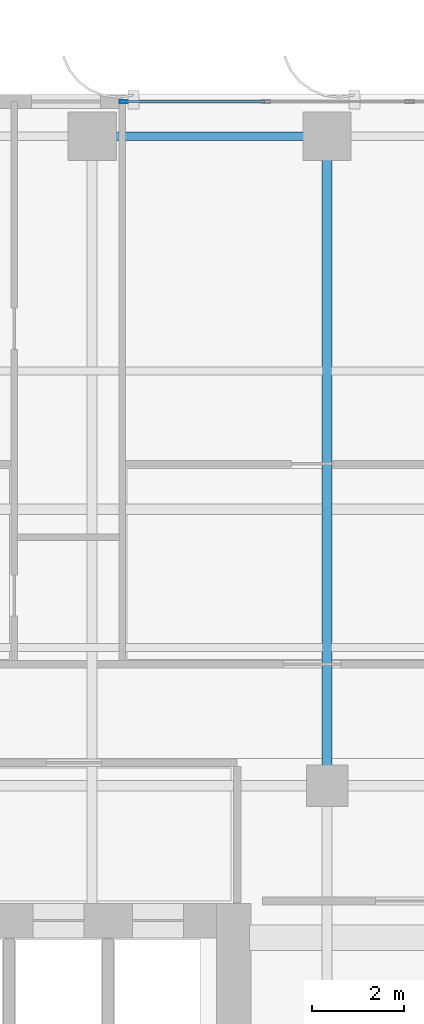
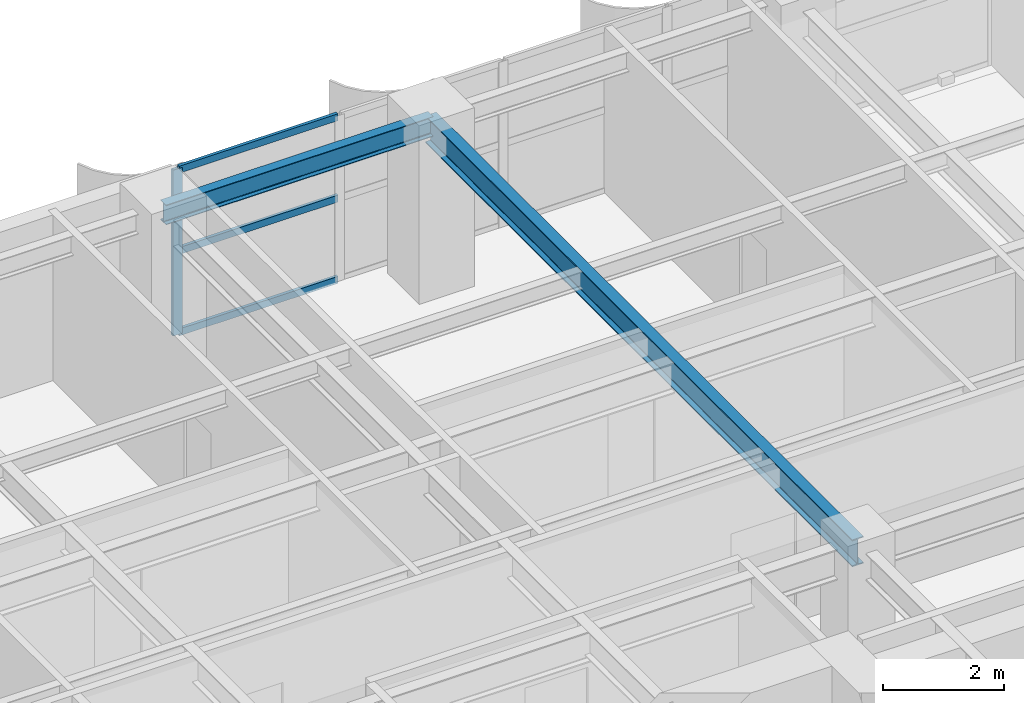
# One storey, part 9 of 22: 4 members, 2 beams, 1 element without a shape of its own.
"""IFC4 building model written with IfcOpenShell, lengths in metres."""

from ifc_helpers import new_model, si_unit, direction, frame, origin, origin_2d, place, context, subcontext, project, spatial, hollow_rectangle, i_section, extrude, source, transform, mapped, material, layer, layer_set, material_profile, profile_set, type_object, element, aggregate, save


model = new_model("IFC4")

# Units and contexts
model_context = context("Model", 3, precision=1e-05, world=origin(), true_north=direction((0.0, 1.0)))
body_context = subcontext(model_context, "Body", "Model", "MODEL_VIEW")
ifc_project = project(units=[si_unit("LENGTHUNIT", "METRE"), si_unit("AREAUNIT", "SQUARE_METRE"), si_unit("VOLUMEUNIT", "CUBIC_METRE"), si_unit("PLANEANGLEUNIT", "RADIAN"), si_unit("MASSUNIT", "GRAM", prefix="KILO")], contexts=[model_context])

# Site, building, storey
site_placement = place(None, origin())
site = spatial("IfcSite", under=ifc_project, at=site_placement, CompositionType="ELEMENT")
building_placement = place(site_placement, origin())
building = spatial("IfcBuilding", under=site, at=building_placement, Name="Khoralis Quay Care Tower", CompositionType="ELEMENT")
storey_placement = place(building_placement, frame((0.0, 0.0, 101.699951171875)))
storey = spatial("IfcBuildingStorey", under=building, at=storey_placement, Name="L26", CompositionType="ELEMENT", Elevation=101.699951171875)

# Beams
ifc_material_1 = material(Name="Steel S355", Category="steel")
ifc_material_profile_1 = material_profile(ifc_material_1, i_section(OverallWidth=0.179931640625, OverallDepth=0.39990234375, WebThickness=0.008544921875, FlangeThickness=0.013427734375, FilletRadius=0.02099609375, at=origin_2d()), Name="Steel S355")
ifc_profile_set_1 = profile_set([ifc_material_profile_1], Name="Steel S355")
beam_type_1 = type_object("IfcBeamType", Name="BM-IPE400", PredefinedType="SPANDREL", material=ifc_profile_set_1)
shared_shape_1 = source(origin(), body_context, "Body", "SweptSolid", [
    extrude(i_section(OverallWidth=0.179931640625, OverallDepth=0.39990234375, WebThickness=0.008544921875, FlangeThickness=0.013427734375, FilletRadius=0.02099609375, at=origin_2d()), origin(), (0.0, 0.0, 1.0), 5.10009765625),
])
beam_1_placement = place(storey_placement, frame((12.0, 44.10009765625, 3.14013671875), z_axis=(1.0, 0.0, 0.0), x_axis=(0.0, 1.0, 0.0)))
element("IfcBeam", 1, at=beam_1_placement, inside=storey, type_object=beam_type_1, Name="BM-TSP-L26-07", PredefinedType="SPANDREL", context=body_context, shape_type="MappedRepresentation", body=[
    mapped(shared_shape_1, transform((0.0, 0.0, 0.0), scale=1.0)),
])
ifc_material_profile_2 = material_profile(ifc_material_1, i_section(OverallWidth=0.2119140625, OverallDepth=0.5439453125, WebThickness=0.01318359375, FlangeThickness=0.021240234375, FilletRadius=0.01611328125, at=origin_2d()), Name="Steel S355")
ifc_profile_set_2 = profile_set([ifc_material_profile_2], Name="Steel S355")
beam_type_2 = type_object("IfcBeamType", Name="BM-W530X123", PredefinedType="BEAM", material=ifc_profile_set_2)
shared_shape_2 = source(origin(), body_context, "Body", "SweptSolid", [
    extrude(i_section(OverallWidth=0.2119140625, OverallDepth=0.5439453125, WebThickness=0.01318359375, FlangeThickness=0.021240234375, FilletRadius=0.01611328125, at=origin_2d()), origin(), (0.0, 0.0, 1.0), 14.10009765625),
])
beam_2_placement = place(storey_placement, frame((17.10009765625, 30.0, 3.068115234375), z_axis=(0.0, 1.0, 0.0), x_axis=(-1.0, 0.0, 0.0)))
element("IfcBeam", 2, at=beam_2_placement, inside=storey, type_object=beam_type_2, Name="BM-TGYN-L26-171", PredefinedType="BEAM", context=body_context, shape_type="MappedRepresentation", body=[
    mapped(shared_shape_2, transform((0.0, 0.0, 0.0), scale=1.0)),
])

# Curtain wall, members
ifc_material_2 = material(Name="Pale anodised aluminium", Category="aluminium")
ifc_layer = layer(ifc_material_2, 0.169921875)
ifc_layer_set = layer_set([ifc_layer], Name="Pale anodised aluminium")
curtain_wall_type = type_object("IfcCurtainWallType", Name="CW-SYS-Z2", PredefinedType="NOTDEFINED", material=ifc_layer_set)
curtain_wall_placement = place(storey_placement, origin())
curtain_wall = element("IfcCurtainWall", 3, at=curtain_wall_placement, inside=storey, type_object=curtain_wall_type, Name="L26 Unitised Curtain Wall CW-L26-P1-E10", PredefinedType="NOTDEFINED")
ifc_material_profile_3 = material_profile(ifc_material_2, hollow_rectangle(XDim=0.06494140625, YDim=0.179931640625, WallThickness=0.00390625, at=origin_2d()), Name="Pale anodised aluminium")
ifc_profile_set_3 = profile_set([ifc_material_profile_3], Name="Pale anodised aluminium")
member_type_1 = type_object("IfcMemberType", Name="CW-MUL-180", PredefinedType="MULLION", material=ifc_profile_set_3)
shared_shape_3 = source(origin(), body_context, "Body", "SweptSolid", [
    extrude(hollow_rectangle(XDim=0.06494140625, YDim=0.179931640625, WallThickness=0.00390625, at=origin_2d()), origin(), (0.0, 0.0, 1.0), 3.340087890625),
])
member_1_placement = place(storey_placement, frame((12.68994140625, 44.85009765625, 0.0), z_axis=(0.0, 0.0, 1.0), x_axis=(0.0, -1.0, 0.0)))
member_1 = element("IfcMember", 4, at=member_1_placement, type_object=member_type_1, Name="CW2 mullion 6", PredefinedType="MULLION", context=body_context, shape_type="MappedRepresentation", body=[
    mapped(shared_shape_3, transform((0.0, 0.0, 0.0), scale=1.0)),
])
ifc_material_profile_4 = material_profile(ifc_material_2, hollow_rectangle(XDim=0.06005859375, YDim=0.139892578125, WallThickness=0.00390625, at=origin_2d()), Name="Pale anodised aluminium")
ifc_profile_set_4 = profile_set([ifc_material_profile_4], Name="Pale anodised aluminium")
member_type_2 = type_object("IfcMemberType", Name="CW-TRN-140", PredefinedType="USERDEFINED", material=ifc_profile_set_4)
shared_shape_4 = source(origin(), body_context, "Body", "SweptSolid", [
    extrude(hollow_rectangle(XDim=0.06005859375, YDim=0.139892578125, WallThickness=0.00390625, at=origin_2d()), origin(), (0.0, 0.0, 1.0), 3.029541015625),
])
member_2_placement = place(storey_placement, frame((15.74951171875, 44.85009765625, 0.030029296875), z_axis=(-1.0, 0.0, 0.0), x_axis=(0.0, -1.0, 0.0)))
member_2 = element("IfcMember", 5, at=member_2_placement, type_object=member_type_2, Name="CW2 transom 5.1", ObjectType="TRANSOM", PredefinedType="USERDEFINED", context=body_context, shape_type="MappedRepresentation", body=[
    mapped(shared_shape_4, transform((0.0, 0.0, 0.0), scale=1.0)),
])
member_3_placement = place(storey_placement, frame((15.74951171875, 44.85009765625, 1.670166015625), z_axis=(-1.0, 0.0, 0.0), x_axis=(0.0, -1.0, 0.0)))
member_3 = element("IfcMember", 6, at=member_3_placement, type_object=member_type_2, Name="CW2 transom 5.2", ObjectType="TRANSOM", PredefinedType="USERDEFINED", context=body_context, shape_type="MappedRepresentation", body=[
    mapped(shared_shape_4, transform((0.0, 0.0, 0.0), scale=1.0)),
])
member_4_placement = place(storey_placement, frame((15.74951171875, 44.85009765625, 3.31005859375), z_axis=(-1.0, 0.0, 0.0), x_axis=(0.0, -1.0, 0.0)))
member_4 = element("IfcMember", 7, at=member_4_placement, type_object=member_type_2, Name="CW2 transom 5.3", ObjectType="TRANSOM", PredefinedType="USERDEFINED", context=body_context, shape_type="MappedRepresentation", body=[
    mapped(shared_shape_4, transform((0.0, 0.0, 0.0), scale=1.0)),
])
aggregate(curtain_wall, [member_1, member_2, member_3, member_4])

save(model, "model.ifc")
